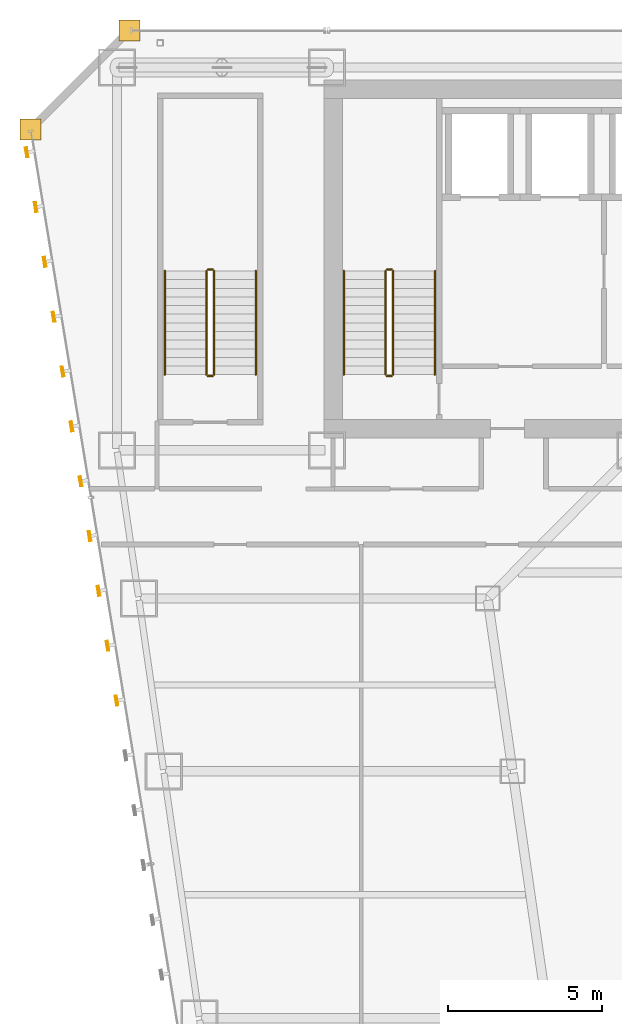
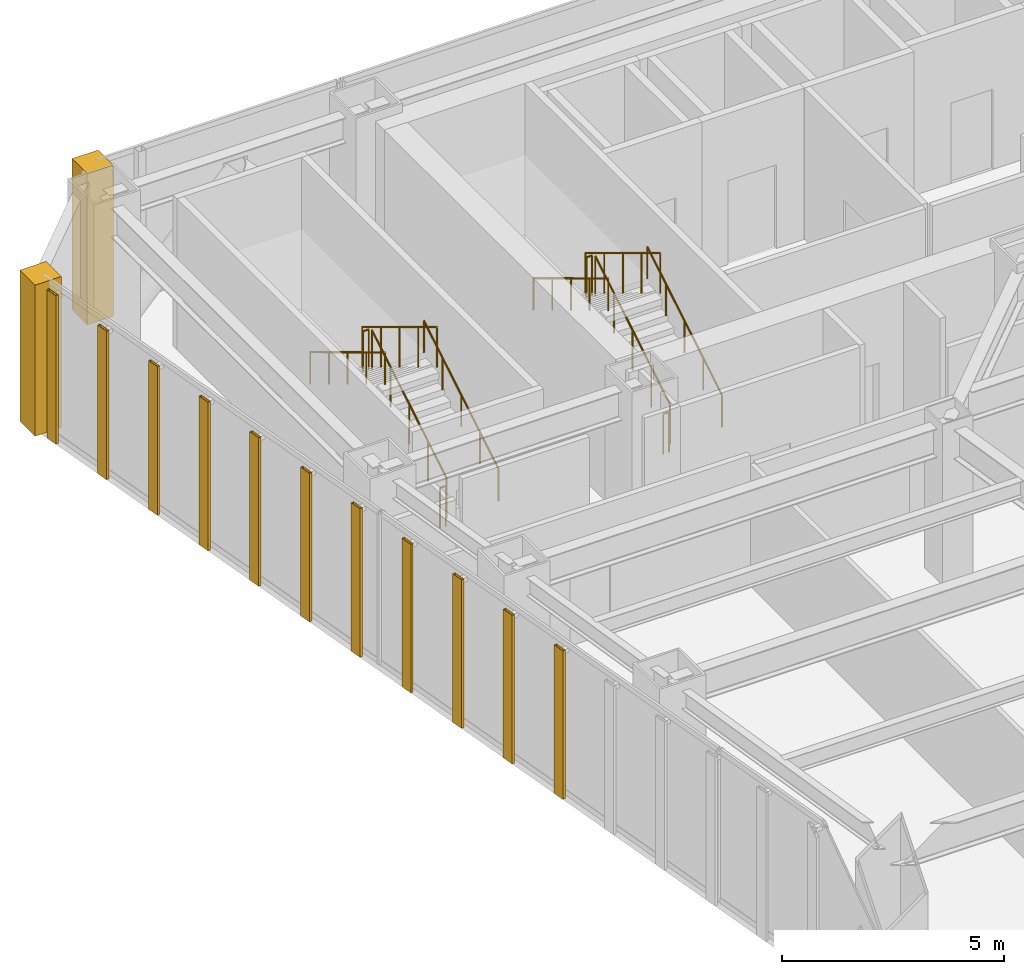
# One storey, part 46 of 47: 12 railings, 11 shading devices, 2 coverings.
"""IFC4 building model written with IfcOpenShell, lengths in metres."""

from ifc_helpers import new_model, si_unit, direction, frame, origin, origin_2d, place, context, subcontext, project, spatial, polyline, hollow_rectangle, circle, outline, extrude, material, layer, layer_set, material_profile, profile_set, type_object, element, save


model = new_model("IFC4")

# Units and contexts
model_context = context("Model", 3, precision=1e-05, world=origin(), true_north=direction((0.0, 1.0)))
body_context = subcontext(model_context, "Body", "Model", "MODEL_VIEW")
ifc_project = project(units=[si_unit("LENGTHUNIT", "METRE"), si_unit("AREAUNIT", "SQUARE_METRE"), si_unit("VOLUMEUNIT", "CUBIC_METRE"), si_unit("PLANEANGLEUNIT", "RADIAN"), si_unit("MASSUNIT", "GRAM", prefix="KILO")], contexts=[model_context])

# Site, building, storey
site_placement = place(None, origin())
site = spatial("IfcSite", under=ifc_project, at=site_placement, CompositionType="ELEMENT")
building_placement = place(site_placement, origin())
building = spatial("IfcBuilding", under=site, at=building_placement, Name="Saevonmaru Cultural Tower", CompositionType="ELEMENT")
storey_placement = place(building_placement, frame((0.0, 0.0, 64.800048828125)))
storey = spatial("IfcBuildingStorey", under=building, at=storey_placement, Name="L13", CompositionType="ELEMENT", Elevation=64.800048828125)

# Coverings
ifc_material_1 = material(Name="Satin Bronze Anodised Aluminium", Category="aluminium")
ifc_layer = layer(ifc_material_1, 0.679931640625, Name="Satin Bronze Anodised Aluminium")
ifc_layer_set = layer_set([ifc_layer], Name="Satin Bronze Anodised Aluminium")
covering_type = type_object("IfcCoveringType", Name="CV-CORNER-CLAD", PredefinedType="CLADDING", material=ifc_layer_set)
covering_1_placement = place(storey_placement, origin())
element("IfcCovering", 1, at=covering_1_placement, inside=storey, type_object=covering_type, Name="L13 Tower Bronze Corner Cladding Pier 11", PredefinedType="CLADDING", context=body_context, shape_type="SweptSolid", body=[
    extrude(outline(polyline([(6.860107421875, 55.659912109375), (7.5400390625, 55.659912109375), (7.5400390625, 56.340087890625), (6.860107421875, 56.340087890625), (6.860107421875, 55.659912109375)])), origin(), (0.0, 0.0, 1.0), 4.14990234375),
])
covering_2_placement = place(storey_placement, origin())
element("IfcCovering", 2, at=covering_2_placement, inside=storey, type_object=covering_type, Name="L13 Tower Bronze Corner Cladding Pier 12", PredefinedType="CLADDING", context=body_context, shape_type="SweptSolid", body=[
    extrude(outline(polyline([(3.659912109375, 52.4599609375), (4.340087890625, 52.4599609375), (4.340087890625, 53.139892578125), (3.659912109375, 53.139892578125), (3.659912109375, 52.4599609375)])), origin(), (0.0, 0.0, 1.0), 4.14990234375),
])

# Railings
ifc_material_2 = material(Name="Architectural Painted Steel", Category="steel")
railing_type_1 = type_object("IfcRailingType", Name="RL-STAIR-GUARD", PredefinedType="GUARDRAIL", material=ifc_material_2)
railing_1_placement = place(storey_placement, frame((15.75, 44.85009765625, 0.169189453125)))
element("IfcRailing", 3, at=railing_1_placement, inside=storey, type_object=railing_type_1, Name="L13 ST-1 stair guard 1", PredefinedType="GUARDRAIL", context=body_context, shape_type="SweptSolid", body=[
    extrude(circle(Radius=0.02392578125, at=origin_2d()), frame((0.0, 0.0, 1.09619140625), z_axis=(0.0, 0.855820338506, 0.51727318527), x_axis=(-1.0, 0.0, 0.0)), (0.0, 0.0, 1.0), 3.92578125),
    extrude(circle(Radius=0.02099609375, at=origin_2d()), origin(), (0.0, 0.0, 1.0), 1.072021484375),
    extrude(circle(Radius=0.02099609375, at=origin_2d()), frame((0.0, 0.83984375, 0.5078125)), (0.0, 0.0, 1.0), 1.072021484375),
    extrude(circle(Radius=0.02099609375, at=origin_2d()), frame((0.0, 1.679931640625, 1.015380859375)), (0.0, 0.0, 1.0), 1.072021484375),
    extrude(circle(Radius=0.02099609375, at=origin_2d()), frame((0.0, 2.52001953125, 1.52294921875)), (0.0, 0.0, 1.0), 1.072021484375),
    extrude(circle(Radius=0.02099609375, at=origin_2d()), frame((0.0, 3.35986328125, 2.03076171875)), (0.0, 0.0, 1.0), 1.072021484375),
])
railing_2_placement = place(storey_placement, frame((15.699951171875, 48.260009765625, 2.199951171875)))
element("IfcRailing", 4, at=railing_2_placement, inside=storey, type_object=railing_type_1, Name="L13 ST-1 stair guard 2", PredefinedType="GUARDRAIL", context=body_context, shape_type="SweptSolid", body=[
    extrude(circle(Radius=0.02392578125, at=origin_2d()), frame((0.0, 0.0, 1.09619140625), z_axis=(-1.0, 0.0, 0.0), x_axis=(0.0, -1.0, 0.0)), (0.0, 0.0, 1.0), 0.14990234375),
    extrude(circle(Radius=0.02099609375, at=origin_2d()), origin(), (0.0, 0.0, 1.0), 1.072021484375),
    extrude(circle(Radius=0.02099609375, at=origin_2d()), frame((-0.14990234375, 0.0, 0.0)), (0.0, 0.0, 1.0), 1.072021484375),
])
railing_3_placement = place(storey_placement, frame((15.5, 48.2099609375, 2.369140625)))
element("IfcRailing", 5, at=railing_3_placement, inside=storey, type_object=railing_type_1, Name="L13 ST-1 stair guard 3", PredefinedType="GUARDRAIL", context=body_context, shape_type="SweptSolid", body=[
    extrude(circle(Radius=0.02392578125, at=origin_2d()), frame((0.0, 0.0, 1.09619140625), z_axis=(0.0, -0.855820338506, 0.51727318527), x_axis=(1.0, 0.0, 0.0)), (0.0, 0.0, 1.0), 3.92578125),
    extrude(circle(Radius=0.02099609375, at=origin_2d()), origin(), (0.0, 0.0, 1.0), 1.072021484375),
    extrude(circle(Radius=0.02099609375, at=origin_2d()), frame((0.0, -0.83984375, 0.5078125)), (0.0, 0.0, 1.0), 1.072021484375),
    extrude(circle(Radius=0.02099609375, at=origin_2d()), frame((0.0, -1.679931640625, 1.015380859375)), (0.0, 0.0, 1.0), 1.072021484375),
    extrude(circle(Radius=0.02099609375, at=origin_2d()), frame((0.0, -2.52001953125, 1.52294921875)), (0.0, 0.0, 1.0), 1.072021484375),
    extrude(circle(Radius=0.02099609375, at=origin_2d()), frame((0.0, -3.35986328125, 2.03076171875)), (0.0, 0.0, 1.0), 1.072021484375),
])
railing_4_placement = place(storey_placement, frame((15.699951171875, 44.800048828125, 0.0)))
element("IfcRailing", 6, at=railing_4_placement, inside=storey, type_object=railing_type_1, Name="L13 ST-1 stair guard 4", PredefinedType="GUARDRAIL", context=body_context, shape_type="SweptSolid", body=[
    extrude(circle(Radius=0.02392578125, at=origin_2d()), frame((0.0, 0.0, 1.09619140625), z_axis=(-1.0, 0.0, 0.0), x_axis=(0.0, -1.0, 0.0)), (0.0, 0.0, 1.0), 0.14990234375),
    extrude(circle(Radius=0.02099609375, at=origin_2d()), origin(), (0.0, 0.0, 1.0), 1.072021484375),
    extrude(circle(Radius=0.02099609375, at=origin_2d()), frame((-0.14990234375, 0.0, 0.0)), (0.0, 0.0, 1.0), 1.072021484375),
])
railing_5_placement = place(storey_placement, frame((9.949951171875, 44.85009765625, 0.169189453125)))
element("IfcRailing", 7, at=railing_5_placement, inside=storey, type_object=railing_type_1, Name="L13 ST-3 stair guard 1", PredefinedType="GUARDRAIL", context=body_context, shape_type="SweptSolid", body=[
    extrude(circle(Radius=0.02392578125, at=origin_2d()), frame((0.0, 0.0, 1.09619140625), z_axis=(0.0, 0.855820338506, 0.51727318527), x_axis=(-1.0, 0.0, 0.0)), (0.0, 0.0, 1.0), 3.92578125),
    extrude(circle(Radius=0.02099609375, at=origin_2d()), origin(), (0.0, 0.0, 1.0), 1.072021484375),
    extrude(circle(Radius=0.02099609375, at=origin_2d()), frame((0.0, 0.83984375, 0.5078125)), (0.0, 0.0, 1.0), 1.072021484375),
    extrude(circle(Radius=0.02099609375, at=origin_2d()), frame((0.0, 1.679931640625, 1.015380859375)), (0.0, 0.0, 1.0), 1.072021484375),
    extrude(circle(Radius=0.02099609375, at=origin_2d()), frame((0.0, 2.52001953125, 1.52294921875)), (0.0, 0.0, 1.0), 1.072021484375),
    extrude(circle(Radius=0.02099609375, at=origin_2d()), frame((0.0, 3.35986328125, 2.03076171875)), (0.0, 0.0, 1.0), 1.072021484375),
])
railing_6_placement = place(storey_placement, frame((9.89990234375, 48.260009765625, 2.199951171875)))
element("IfcRailing", 8, at=railing_6_placement, inside=storey, type_object=railing_type_1, Name="L13 ST-3 stair guard 2", PredefinedType="GUARDRAIL", context=body_context, shape_type="SweptSolid", body=[
    extrude(circle(Radius=0.02392578125, at=origin_2d()), frame((0.0, 0.0, 1.09619140625), z_axis=(-1.0, 0.0, 0.0), x_axis=(0.0, -1.0, 0.0)), (0.0, 0.0, 1.0), 0.14990234375),
    extrude(circle(Radius=0.02099609375, at=origin_2d()), origin(), (0.0, 0.0, 1.0), 1.072021484375),
    extrude(circle(Radius=0.02099609375, at=origin_2d()), frame((-0.14990234375, 0.0, 0.0)), (0.0, 0.0, 1.0), 1.072021484375),
])
railing_7_placement = place(storey_placement, frame((9.699951171875, 48.2099609375, 2.369140625)))
element("IfcRailing", 9, at=railing_7_placement, inside=storey, type_object=railing_type_1, Name="L13 ST-3 stair guard 3", PredefinedType="GUARDRAIL", context=body_context, shape_type="SweptSolid", body=[
    extrude(circle(Radius=0.02392578125, at=origin_2d()), frame((0.0, 0.0, 1.09619140625), z_axis=(0.0, -0.855820338506, 0.51727318527), x_axis=(1.0, 0.0, 0.0)), (0.0, 0.0, 1.0), 3.92578125),
    extrude(circle(Radius=0.02099609375, at=origin_2d()), origin(), (0.0, 0.0, 1.0), 1.072021484375),
    extrude(circle(Radius=0.02099609375, at=origin_2d()), frame((0.0, -0.83984375, 0.5078125)), (0.0, 0.0, 1.0), 1.072021484375),
    extrude(circle(Radius=0.02099609375, at=origin_2d()), frame((0.0, -1.679931640625, 1.015380859375)), (0.0, 0.0, 1.0), 1.072021484375),
    extrude(circle(Radius=0.02099609375, at=origin_2d()), frame((0.0, -2.52001953125, 1.52294921875)), (0.0, 0.0, 1.0), 1.072021484375),
    extrude(circle(Radius=0.02099609375, at=origin_2d()), frame((0.0, -3.35986328125, 2.03076171875)), (0.0, 0.0, 1.0), 1.072021484375),
])
railing_8_placement = place(storey_placement, frame((9.89990234375, 44.800048828125, 0.0)))
element("IfcRailing", 10, at=railing_8_placement, inside=storey, type_object=railing_type_1, Name="L13 ST-3 stair guard 4", PredefinedType="GUARDRAIL", context=body_context, shape_type="SweptSolid", body=[
    extrude(circle(Radius=0.02392578125, at=origin_2d()), frame((0.0, 0.0, 1.09619140625), z_axis=(-1.0, 0.0, 0.0), x_axis=(0.0, -1.0, 0.0)), (0.0, 0.0, 1.0), 0.14990234375),
    extrude(circle(Radius=0.02099609375, at=origin_2d()), origin(), (0.0, 0.0, 1.0), 1.072021484375),
    extrude(circle(Radius=0.02099609375, at=origin_2d()), frame((-0.14990234375, 0.0, 0.0)), (0.0, 0.0, 1.0), 1.072021484375),
])
railing_type_2 = type_object("IfcRailingType", Name="RL-STAIR-HANDRAIL", PredefinedType="HANDRAIL", material=ifc_material_1)
railing_9_placement = place(storey_placement, frame((17.10009765625, 44.85009765625, 0.169189453125)))
element("IfcRailing", 11, at=railing_9_placement, inside=storey, type_object=railing_type_2, Name="L13 ST-1 stair handrail 1", PredefinedType="HANDRAIL", context=body_context, shape_type="SweptSolid", body=[
    extrude(circle(Radius=0.02392578125, at=origin_2d()), frame((0.0, 0.0, 0.8759765625), z_axis=(0.0, 0.855820338506, 0.51727318527), x_axis=(-1.0, 0.0, 0.0)), (0.0, 0.0, 1.0), 3.92578125),
    extrude(circle(Radius=0.02099609375, at=origin_2d()), origin(), (0.0, 0.0, 1.0), 0.851806640625),
    extrude(circle(Radius=0.02099609375, at=origin_2d()), frame((0.0, 0.83984375, 0.5078125)), (0.0, 0.0, 1.0), 0.851806640625),
    extrude(circle(Radius=0.02099609375, at=origin_2d()), frame((0.0, 1.679931640625, 1.015380859375)), (0.0, 0.0, 1.0), 0.851806640625),
    extrude(circle(Radius=0.02099609375, at=origin_2d()), frame((0.0, 2.52001953125, 1.52294921875)), (0.0, 0.0, 1.0), 0.851806640625),
    extrude(circle(Radius=0.02099609375, at=origin_2d()), frame((0.0, 3.35986328125, 2.03076171875)), (0.0, 0.0, 1.0), 0.851806640625),
])
railing_10_placement = place(storey_placement, frame((14.14990234375, 48.2099609375, 2.369140625)))
element("IfcRailing", 12, at=railing_10_placement, inside=storey, type_object=railing_type_2, Name="L13 ST-1 stair handrail 2", PredefinedType="HANDRAIL", context=body_context, shape_type="SweptSolid", body=[
    extrude(circle(Radius=0.02392578125, at=origin_2d()), frame((0.0, 0.0, 0.8759765625), z_axis=(0.0, -0.855820338506, 0.51727318527), x_axis=(1.0, 0.0, 0.0)), (0.0, 0.0, 1.0), 3.92578125),
    extrude(circle(Radius=0.02099609375, at=origin_2d()), origin(), (0.0, 0.0, 1.0), 0.851806640625),
    extrude(circle(Radius=0.02099609375, at=origin_2d()), frame((0.0, -0.83984375, 0.5078125)), (0.0, 0.0, 1.0), 0.851806640625),
    extrude(circle(Radius=0.02099609375, at=origin_2d()), frame((0.0, -1.679931640625, 1.015380859375)), (0.0, 0.0, 1.0), 0.851806640625),
    extrude(circle(Radius=0.02099609375, at=origin_2d()), frame((0.0, -2.52001953125, 1.52294921875)), (0.0, 0.0, 1.0), 0.851806640625),
    extrude(circle(Radius=0.02099609375, at=origin_2d()), frame((0.0, -3.35986328125, 2.03076171875)), (0.0, 0.0, 1.0), 0.851806640625),
])
railing_11_placement = place(storey_placement, frame((11.300048828125, 44.85009765625, 0.169189453125)))
element("IfcRailing", 13, at=railing_11_placement, inside=storey, type_object=railing_type_2, Name="L13 ST-3 stair handrail 1", PredefinedType="HANDRAIL", context=body_context, shape_type="SweptSolid", body=[
    extrude(circle(Radius=0.02392578125, at=origin_2d()), frame((0.0, 0.0, 0.8759765625), z_axis=(0.0, 0.855820338506, 0.51727318527), x_axis=(-1.0, 0.0, 0.0)), (0.0, 0.0, 1.0), 3.92578125),
    extrude(circle(Radius=0.02099609375, at=origin_2d()), origin(), (0.0, 0.0, 1.0), 0.851806640625),
    extrude(circle(Radius=0.02099609375, at=origin_2d()), frame((0.0, 0.83984375, 0.5078125)), (0.0, 0.0, 1.0), 0.851806640625),
    extrude(circle(Radius=0.02099609375, at=origin_2d()), frame((0.0, 1.679931640625, 1.015380859375)), (0.0, 0.0, 1.0), 0.851806640625),
    extrude(circle(Radius=0.02099609375, at=origin_2d()), frame((0.0, 2.52001953125, 1.52294921875)), (0.0, 0.0, 1.0), 0.851806640625),
    extrude(circle(Radius=0.02099609375, at=origin_2d()), frame((0.0, 3.35986328125, 2.03076171875)), (0.0, 0.0, 1.0), 0.851806640625),
])
railing_12_placement = place(storey_placement, frame((8.35009765625, 48.2099609375, 2.369140625)))
element("IfcRailing", 14, at=railing_12_placement, inside=storey, type_object=railing_type_2, Name="L13 ST-3 stair handrail 2", PredefinedType="HANDRAIL", context=body_context, shape_type="SweptSolid", body=[
    extrude(circle(Radius=0.02392578125, at=origin_2d()), frame((0.0, 0.0, 0.8759765625), z_axis=(0.0, -0.855820338506, 0.51727318527), x_axis=(1.0, 0.0, 0.0)), (0.0, 0.0, 1.0), 3.92578125),
    extrude(circle(Radius=0.02099609375, at=origin_2d()), origin(), (0.0, 0.0, 1.0), 0.851806640625),
    extrude(circle(Radius=0.02099609375, at=origin_2d()), frame((0.0, -0.83984375, 0.5078125)), (0.0, 0.0, 1.0), 0.851806640625),
    extrude(circle(Radius=0.02099609375, at=origin_2d()), frame((0.0, -1.679931640625, 1.015380859375)), (0.0, 0.0, 1.0), 0.851806640625),
    extrude(circle(Radius=0.02099609375, at=origin_2d()), frame((0.0, -2.52001953125, 1.52294921875)), (0.0, 0.0, 1.0), 0.851806640625),
    extrude(circle(Radius=0.02099609375, at=origin_2d()), frame((0.0, -3.35986328125, 2.03076171875)), (0.0, 0.0, 1.0), 0.851806640625),
])

# Shading devices
ifc_material_profile = material_profile(ifc_material_1, hollow_rectangle(XDim=0.070068359375, YDim=0.320068359375, WallThickness=0.0048828125, at=origin_2d()), Name="FIN-320x70")
ifc_profile_set = profile_set([ifc_material_profile], Name="Satin Bronze Anodised Aluminium")
shading_device_type = type_object("IfcShadingDeviceType", Name="SHD-FIN-320", PredefinedType="JALOUSIE", material=ifc_profile_set)
for number, where, z_axis, x_axis, name in (
    (15, (3.879150390625, 52.05322265625, 0.050048828125), (0.0, 0.0, 1.0), (-0.986827496189, -0.161776057456, 0.0), "L13 Art Deco Sawtooth Bronze Fin E12-01"),
    (16, (4.170166015625, 50.27685546875, 0.050048828125), (0.0, 0.0, 1.0), (-0.986827496189, -0.161776057456, 0.0), "L13 Art Deco Sawtooth Bronze Fin E12-02"),
    (17, (4.461181640625, 48.50048828125, 0.050048828125), (0.0, 0.0, 1.0), (-0.986827496189, -0.161776057456, 0.0), "L13 Art Deco Sawtooth Bronze Fin E12-03"),
    (18, (4.75244140625, 46.724365234375, 0.050048828125), (0.0, 0.0, 1.0), (-0.986827496189, -0.161776057456, 0.0), "L13 Art Deco Sawtooth Bronze Fin E12-04"),
    (19, (5.04345703125, 44.947998046875, 0.050048828125), (0.0, 0.0, 1.0), (-0.986827496189, -0.161776057456, 0.0), "L13 Art Deco Sawtooth Bronze Fin E12-05"),
    (20, (5.334716796875, 43.171630859375, 0.050048828125), (0.0, 0.0, 1.0), (-0.986827496189, -0.161776057456, 0.0), "L13 Art Deco Sawtooth Bronze Fin E12-06"),
    (21, (5.62548828125, 41.3955078125, 0.050048828125), (0.0, 0.0, 1.0), (-0.986827496189, -0.161776057456, 0.0), "L13 Art Deco Sawtooth Bronze Fin E12-07"),
    (22, (5.916748046875, 39.618896484375, 0.050048828125), (0.0, 0.0, 1.0), (-0.986827496189, -0.161776057456, 0.0), "L13 Art Deco Sawtooth Bronze Fin E12-08"),
    (23, (6.207763671875, 37.8427734375, 0.050048828125), (0.0, 0.0, 1.0), (-0.986827496189, -0.161776057456, 0.0), "L13 Art Deco Sawtooth Bronze Fin E12-09"),
    (24, (6.498779296875, 36.06640625, 0.050048828125), (0.0, 0.0, 1.0), (-0.986827496189, -0.161776057456, 0.0), "L13 Art Deco Sawtooth Bronze Fin E12-10"),
    (25, (6.789794921875, 34.2900390625, 0.050048828125), (0.0, 0.0, 1.0), (-0.986827496189, -0.161776057456, 0.0), "L13 Art Deco Sawtooth Bronze Fin E12-11"),
):
    element("IfcShadingDevice", number, at=place(storey_placement, frame(where, z_axis=z_axis, x_axis=x_axis)), inside=storey, type_object=shading_device_type, Name=name, PredefinedType="JALOUSIE", context=body_context, shape_type="SweptSolid", body=[
        extrude(hollow_rectangle(XDim=0.070068359375, YDim=0.320068359375, WallThickness=0.0048828125, at=origin_2d()), origin(), (0.0, 0.0, 1.0), 4.079833984375),
    ])

save(model, "model.ifc")
